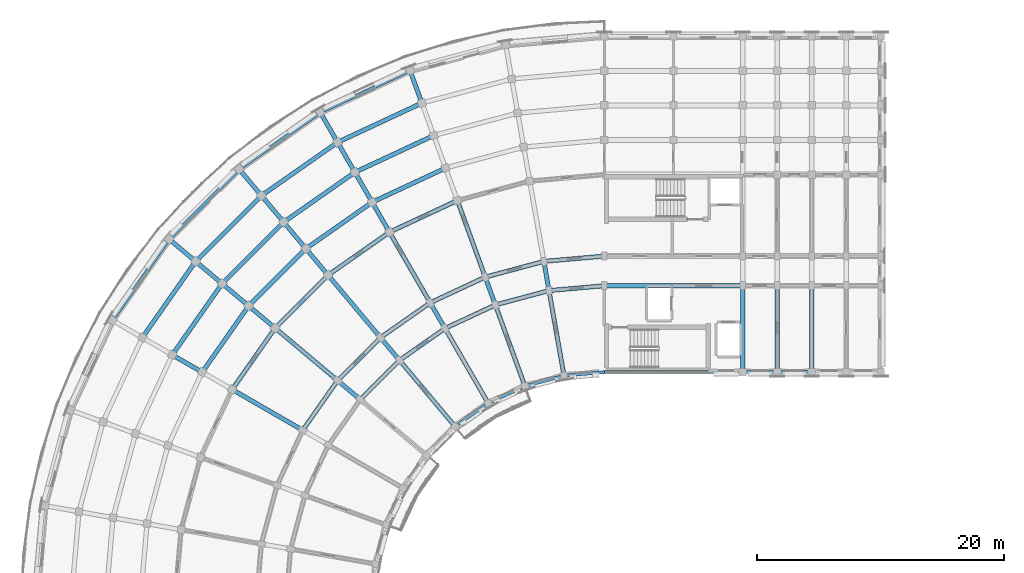
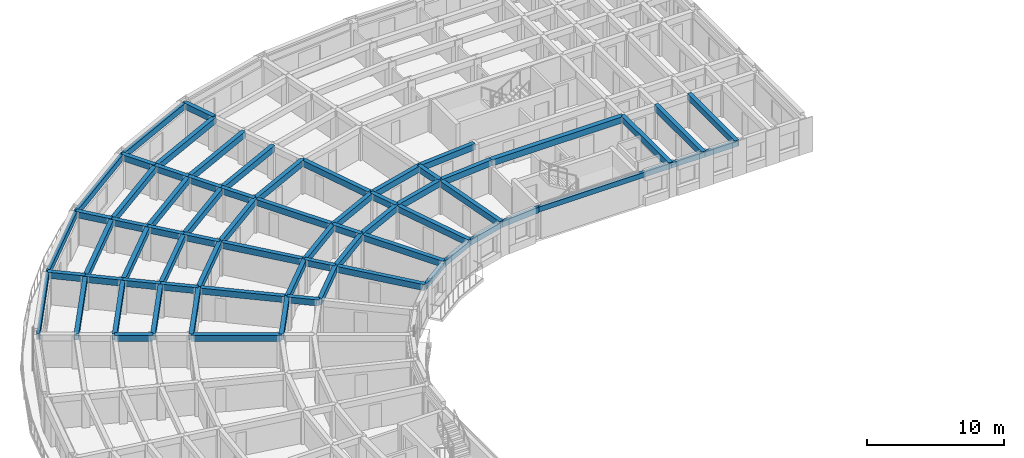
# One storey, part 4 of 36: 70 beams.
"""IFC4 building model written with IfcOpenShell, lengths in metres."""

from ifc_helpers import new_model, si_unit, direction, frame, origin, origin_2d, place, context, subcontext, project, spatial, rectangle, extrude, material, material_profile, profile_set, type_object, element, save


model = new_model("IFC4")

# Units and contexts
model_context = context("Model", 3, precision=1e-05, world=origin(), true_north=direction((0.0, 1.0)))
body_context = subcontext(model_context, "Body", "Model", "MODEL_VIEW")
ifc_project = project(units=[si_unit("LENGTHUNIT", "METRE"), si_unit("AREAUNIT", "SQUARE_METRE"), si_unit("VOLUMEUNIT", "CUBIC_METRE"), si_unit("PLANEANGLEUNIT", "RADIAN"), si_unit("MASSUNIT", "GRAM", prefix="KILO")], contexts=[model_context])

# Site, building, storey
site_placement = place(None, origin())
site = spatial("IfcSite", under=ifc_project, at=site_placement, CompositionType="ELEMENT")
building_placement = place(site_placement, origin())
building = spatial("IfcBuilding", under=site, at=building_placement, Name="Kiranvali Square Residences", CompositionType="ELEMENT")
storey_placement = place(building_placement, frame((0.0, 0.0, 37.050048828125)))
storey = spatial("IfcBuildingStorey", under=building, at=storey_placement, Name="L11", CompositionType="ELEMENT", Elevation=37.050048828125)

# Beams
ifc_material_1 = material(Name="Concrete M40 (40 MPa)", Category="concrete")
ifc_material_profile_1 = material_profile(ifc_material_1, rectangle(XDim=0.35009765625, YDim=0.550048828125, at=origin_2d()), Name="RC 350x550")
ifc_profile_set_1 = profile_set([ifc_material_profile_1], Name="Concrete M40 (40 MPa)")
beam_type_1 = type_object("IfcBeamType", Name="BM-M40-350x550", PredefinedType="BEAM", material=ifc_profile_set_1)
beam_1_placement = place(storey_placement, frame((48.199951171875, 113.60009765625, 2.655029296875), z_axis=(-0.996191949488, -0.087187153726, 0.0), x_axis=(0.087187153726, -0.996191949488, 0.0)))
element("IfcBeam", 1, at=beam_1_placement, inside=storey, type_object=beam_type_1, Name="L11 beam BM-A-L11-C00-R1", PredefinedType="BEAM", context=body_context, shape_type="SweptSolid", body=[
    extrude(rectangle(XDim=0.35009765625, YDim=0.550048828125, at=origin_2d()), origin(), (0.0, 0.0, 1.0), 4.4970703125),
])
beam_2_placement = place(storey_placement, frame((48.199951171875, 116.0, 2.655029296875), z_axis=(-0.996193663584, -0.087167566415, 0.0), x_axis=(0.087167566415, -0.996193663584, 0.0)))
element("IfcBeam", 2, at=beam_2_placement, inside=storey, type_object=beam_type_1, Name="L11 beam BM-A-L11-C00-R2", PredefinedType="BEAM", context=body_context, shape_type="SweptSolid", body=[
    extrude(rectangle(XDim=0.35009765625, YDim=0.550048828125, at=origin_2d()), origin(), (0.0, 0.0, 1.0), 4.91552734375),
])
beam_3_placement = place(storey_placement, frame((43.719970703125, 113.2080078125, 2.655029296875), z_axis=(-0.965934240054, -0.258787642463, 0.0), x_axis=(0.258787642463, -0.965934240054, 0.0)))
element("IfcBeam", 3, at=beam_3_placement, inside=storey, type_object=beam_type_1, Name="L11 beam BM-A-L11-C01-R1", PredefinedType="BEAM", context=body_context, shape_type="SweptSolid", body=[
    extrude(rectangle(XDim=0.35009765625, YDim=0.550048828125, at=origin_2d()), origin(), (0.0, 0.0, 1.0), 4.497314453125),
])
beam_4_placement = place(storey_placement, frame((43.30322265625, 115.571533203125, 2.655029296875), z_axis=(-0.965930095386, -0.258803112091, 0.0), x_axis=(0.258803112091, -0.965930095386, 0.0)))
element("IfcBeam", 4, at=beam_4_placement, inside=storey, type_object=beam_type_1, Name="L11 beam BM-A-L11-C01-R2", PredefinedType="BEAM", context=body_context, shape_type="SweptSolid", body=[
    extrude(rectangle(XDim=0.35009765625, YDim=0.550048828125, at=origin_2d()), origin(), (0.0, 0.0, 1.0), 4.915771484375),
])
beam_5_placement = place(storey_placement, frame((39.3759765625, 112.044189453125, 2.655029296875), z_axis=(-0.906307919131, -0.422617978463, 0.0), x_axis=(0.422617978463, -0.906307919131, 0.0)))
element("IfcBeam", 5, at=beam_5_placement, inside=storey, type_object=beam_type_1, Name="L11 beam BM-A-L11-C02-R1", PredefinedType="BEAM", context=body_context, shape_type="SweptSolid", body=[
    extrude(rectangle(XDim=0.35009765625, YDim=0.550048828125, at=origin_2d()), origin(), (0.0, 0.0, 1.0), 4.497314453125),
])
beam_6_placement = place(storey_placement, frame((38.554931640625, 114.29931640625, 2.655029296875), z_axis=(-0.906302381024, -0.422629854778, 0.0), x_axis=(0.422629854778, -0.906302381024, 0.0)))
element("IfcBeam", 6, at=beam_6_placement, inside=storey, type_object=beam_type_1, Name="L11 beam BM-A-L11-C02-R2", PredefinedType="BEAM", context=body_context, shape_type="SweptSolid", body=[
    extrude(rectangle(XDim=0.35009765625, YDim=0.550048828125, at=origin_2d()), origin(), (0.0, 0.0, 1.0), 4.915283203125),
])
beam_7_placement = place(storey_placement, frame((36.297607421875, 120.501220703125, 2.655029296875), z_axis=(-0.906312656069, -0.42260781991, 0.0), x_axis=(0.42260781991, -0.906312656069, 0.0)))
element("IfcBeam", 7, at=beam_7_placement, inside=storey, type_object=beam_type_1, Name="L11 beam BM-A-L11-C02-R3", PredefinedType="BEAM", context=body_context, shape_type="SweptSolid", body=[
    extrude(rectangle(XDim=0.35009765625, YDim=0.550048828125, at=origin_2d()), origin(), (0.0, 0.0, 1.0), 6.06591796875),
])
beam_8_placement = place(storey_placement, frame((35.340087890625, 123.13232421875, 2.655029296875), z_axis=(-0.906318225223, -0.422595876255, 0.0), x_axis=(0.422595876255, -0.906318225223, 0.0)))
element("IfcBeam", 8, at=beam_8_placement, inside=storey, type_object=beam_type_1, Name="L11 beam BM-A-L11-C02-R4", PredefinedType="BEAM", context=body_context, shape_type="SweptSolid", body=[
    extrude(rectangle(XDim=0.35009765625, YDim=0.550048828125, at=origin_2d()), origin(), (0.0, 0.0, 1.0), 6.55419921875),
])
beam_9_placement = place(storey_placement, frame((34.38232421875, 125.763671875, 2.655029296875), z_axis=(-0.906297360311, -0.422640621205, 0.0), x_axis=(0.422640621205, -0.906297360311, 0.0)))
element("IfcBeam", 9, at=beam_9_placement, inside=storey, type_object=beam_type_1, Name="L11 beam BM-A-L11-C02-R5", PredefinedType="BEAM", context=body_context, shape_type="SweptSolid", body=[
    extrude(rectangle(XDim=0.35009765625, YDim=0.550048828125, at=origin_2d()), origin(), (0.0, 0.0, 1.0), 7.042236328125),
])
beam_10_placement = place(storey_placement, frame((33.4248046875, 128.394775390625, 2.655029296875), z_axis=(-0.90630982703, -0.422613886933, 0.0), x_axis=(0.422613886933, -0.90630982703, 0.0)))
element("IfcBeam", 10, at=beam_10_placement, inside=storey, type_object=beam_type_1, Name="L11 beam BM-A-L11-C02-R6", PredefinedType="BEAM", context=body_context, shape_type="SweptSolid", body=[
    extrude(rectangle(XDim=0.35009765625, YDim=0.550048828125, at=origin_2d()), origin(), (0.0, 0.0, 1.0), 7.5302734375),
])
beam_11_placement = place(storey_placement, frame((35.300048828125, 110.1435546875, 2.655029296875), z_axis=(-0.819155404658, -0.573571637217, 0.0), x_axis=(0.573571637217, -0.819155404658, 0.0)))
element("IfcBeam", 11, at=beam_11_placement, inside=storey, type_object=beam_type_1, Name="L11 beam BM-A-L11-C03-R1", PredefinedType="BEAM", context=body_context, shape_type="SweptSolid", body=[
    extrude(rectangle(XDim=0.35009765625, YDim=0.550048828125, at=origin_2d()), origin(), (0.0, 0.0, 1.0), 4.497314453125),
])
beam_12_placement = place(storey_placement, frame((34.10009765625, 112.221923828125, 2.655029296875), z_axis=(-0.819140911474, -0.573592335331, 0.0), x_axis=(0.573592335331, -0.819140911474, 0.0)))
element("IfcBeam", 12, at=beam_12_placement, inside=storey, type_object=beam_type_1, Name="L11 beam BM-A-L11-C03-R2", PredefinedType="BEAM", context=body_context, shape_type="SweptSolid", body=[
    extrude(rectangle(XDim=0.35009765625, YDim=0.550048828125, at=origin_2d()), origin(), (0.0, 0.0, 1.0), 4.915771484375),
])
beam_13_placement = place(storey_placement, frame((30.800048828125, 117.937744140625, 2.655029296875), z_axis=(-0.81913926159, -0.573594691504, 0.0), x_axis=(0.573594691504, -0.81913926159, 0.0)))
element("IfcBeam", 13, at=beam_13_placement, inside=storey, type_object=beam_type_1, Name="L11 beam BM-A-L11-C03-R3", PredefinedType="BEAM", context=body_context, shape_type="SweptSolid", body=[
    extrude(rectangle(XDim=0.35009765625, YDim=0.550048828125, at=origin_2d()), origin(), (0.0, 0.0, 1.0), 6.066162109375),
])
beam_14_placement = place(storey_placement, frame((29.39990234375, 120.362548828125, 2.655029296875), z_axis=(-0.819144409176, -0.573587340268, 0.0), x_axis=(0.573587340268, -0.819144409176, 0.0)))
element("IfcBeam", 14, at=beam_14_placement, inside=storey, type_object=beam_type_1, Name="L11 beam BM-A-L11-C03-R4", PredefinedType="BEAM", context=body_context, shape_type="SweptSolid", body=[
    extrude(rectangle(XDim=0.35009765625, YDim=0.550048828125, at=origin_2d()), origin(), (0.0, 0.0, 1.0), 6.553955078125),
])
beam_15_placement = place(storey_placement, frame((28.0, 122.787353515625, 2.655029296875), z_axis=(-0.819160249246, -0.57356471828, 0.0), x_axis=(0.57356471828, -0.819160249246, 0.0)))
element("IfcBeam", 15, at=beam_15_placement, inside=storey, type_object=beam_type_1, Name="L11 beam BM-A-L11-C03-R5", PredefinedType="BEAM", context=body_context, shape_type="SweptSolid", body=[
    extrude(rectangle(XDim=0.35009765625, YDim=0.550048828125, at=origin_2d()), origin(), (0.0, 0.0, 1.0), 7.0419921875),
])
beam_16_placement = place(storey_placement, frame((26.60009765625, 125.21240234375, 2.655029296875), z_axis=(-0.819143569597, -0.573588539275, 0.0), x_axis=(0.573588539275, -0.819143569597, 0.0)))
element("IfcBeam", 16, at=beam_16_placement, inside=storey, type_object=beam_type_1, Name="L11 beam BM-A-L11-C03-R6", PredefinedType="BEAM", context=body_context, shape_type="SweptSolid", body=[
    extrude(rectangle(XDim=0.35009765625, YDim=0.550048828125, at=origin_2d()), origin(), (0.0, 0.0, 1.0), 7.5302734375),
])
beam_17_placement = place(storey_placement, frame((31.615966796875, 107.56396484375, 2.655029296875), z_axis=(-0.707106781187, -0.707106781187, 0.0), x_axis=(0.707106781187, -0.707106781187, 0.0)))
element("IfcBeam", 17, at=beam_17_placement, inside=storey, type_object=beam_type_1, Name="L11 beam BM-A-L11-C04-R1", PredefinedType="BEAM", context=body_context, shape_type="SweptSolid", body=[
    extrude(rectangle(XDim=0.35009765625, YDim=0.550048828125, at=origin_2d()), origin(), (0.0, 0.0, 1.0), 4.4970703125),
])
beam_18_placement = place(storey_placement, frame((30.073486328125, 109.40234375, 2.655029296875), z_axis=(-0.707106781187, -0.707106781187, 0.0), x_axis=(0.707106781187, -0.707106781187, 0.0)))
element("IfcBeam", 18, at=beam_18_placement, inside=storey, type_object=beam_type_1, Name="L11 beam BM-A-L11-C04-R2", PredefinedType="BEAM", context=body_context, shape_type="SweptSolid", body=[
    extrude(rectangle(XDim=0.35009765625, YDim=0.550048828125, at=origin_2d()), origin(), (0.0, 0.0, 1.0), 4.91552734375),
])
beam_19_placement = place(storey_placement, frame((25.8310546875, 114.458251953125, 2.655029296875), z_axis=(-0.707106781187, -0.707106781187, 0.0), x_axis=(0.707106781187, -0.707106781187, 0.0)))
element("IfcBeam", 19, at=beam_19_placement, inside=storey, type_object=beam_type_1, Name="L11 beam BM-A-L11-C04-R3", PredefinedType="BEAM", context=body_context, shape_type="SweptSolid", body=[
    extrude(rectangle(XDim=0.35009765625, YDim=0.550048828125, at=origin_2d()), origin(), (0.0, 0.0, 1.0), 6.06591796875),
])
beam_20_placement = place(storey_placement, frame((24.03125, 116.603271484375, 2.655029296875), z_axis=(-0.707106781187, -0.707106781187, 0.0), x_axis=(0.707106781187, -0.707106781187, 0.0)))
element("IfcBeam", 20, at=beam_20_placement, inside=storey, type_object=beam_type_1, Name="L11 beam BM-A-L11-C04-R4", PredefinedType="BEAM", context=body_context, shape_type="SweptSolid", body=[
    extrude(rectangle(XDim=0.35009765625, YDim=0.550048828125, at=origin_2d()), origin(), (0.0, 0.0, 1.0), 6.55419921875),
])
beam_21_placement = place(storey_placement, frame((22.2314453125, 118.748291015625, 2.655029296875), z_axis=(-0.707106781187, -0.707106781187, 0.0), x_axis=(0.707106781187, -0.707106781187, 0.0)))
element("IfcBeam", 21, at=beam_21_placement, inside=storey, type_object=beam_type_1, Name="L11 beam BM-A-L11-C04-R5", PredefinedType="BEAM", context=body_context, shape_type="SweptSolid", body=[
    extrude(rectangle(XDim=0.35009765625, YDim=0.550048828125, at=origin_2d()), origin(), (0.0, 0.0, 1.0), 7.04248046875),
])
beam_22_placement = place(storey_placement, frame((20.431640625, 120.89306640625, 2.655029296875), z_axis=(-0.707106781187, -0.707106781187, 0.0), x_axis=(0.707106781187, -0.707106781187, 0.0)))
element("IfcBeam", 22, at=beam_22_placement, inside=storey, type_object=beam_type_1, Name="L11 beam BM-A-L11-C04-R6", PredefinedType="BEAM", context=body_context, shape_type="SweptSolid", body=[
    extrude(rectangle(XDim=0.35009765625, YDim=0.550048828125, at=origin_2d()), origin(), (0.0, 0.0, 1.0), 7.5302734375),
])
beam_23_placement = place(storey_placement, frame((26.59765625, 105.926513671875, 2.655029296875), z_axis=(-0.573592335331, -0.819140911474, 0.0), x_axis=(0.819140911474, -0.573592335331, 0.0)))
element("IfcBeam", 23, at=beam_23_placement, inside=storey, type_object=beam_type_1, Name="L11 beam BM-A-L11-C05-R2", PredefinedType="BEAM", context=body_context, shape_type="SweptSolid", body=[
    extrude(rectangle(XDim=0.35009765625, YDim=0.550048828125, at=origin_2d()), origin(), (0.0, 0.0, 1.0), 4.915771484375),
])
beam_24_placement = place(storey_placement, frame((21.541748046875, 110.1689453125, 2.655029296875), z_axis=(-0.573594691504, -0.81913926159, 0.0), x_axis=(0.81913926159, -0.573594691504, 0.0)))
element("IfcBeam", 24, at=beam_24_placement, inside=storey, type_object=beam_type_1, Name="L11 beam BM-A-L11-C05-R3", PredefinedType="BEAM", context=body_context, shape_type="SweptSolid", body=[
    extrude(rectangle(XDim=0.35009765625, YDim=0.550048828125, at=origin_2d()), origin(), (0.0, 0.0, 1.0), 6.066162109375),
])
beam_25_placement = place(storey_placement, frame((19.396728515625, 111.96875, 2.655029296875), z_axis=(-0.573587340268, -0.819144409176, 0.0), x_axis=(0.819144409176, -0.573587340268, 0.0)))
element("IfcBeam", 25, at=beam_25_placement, inside=storey, type_object=beam_type_1, Name="L11 beam BM-A-L11-C05-R4", PredefinedType="BEAM", context=body_context, shape_type="SweptSolid", body=[
    extrude(rectangle(XDim=0.35009765625, YDim=0.550048828125, at=origin_2d()), origin(), (0.0, 0.0, 1.0), 6.553955078125),
])
beam_26_placement = place(storey_placement, frame((17.251708984375, 113.7685546875, 2.655029296875), z_axis=(-0.57356471828, -0.819160249246, 0.0), x_axis=(0.819160249246, -0.57356471828, 0.0)))
element("IfcBeam", 26, at=beam_26_placement, inside=storey, type_object=beam_type_1, Name="L11 beam BM-A-L11-C05-R5", PredefinedType="BEAM", context=body_context, shape_type="SweptSolid", body=[
    extrude(rectangle(XDim=0.35009765625, YDim=0.550048828125, at=origin_2d()), origin(), (0.0, 0.0, 1.0), 7.0419921875),
])
beam_27_placement = place(storey_placement, frame((15.10693359375, 115.568359375, 2.655029296875), z_axis=(-0.573588539275, -0.819143569597, 0.0), x_axis=(0.819143569597, -0.573588539275, 0.0)))
element("IfcBeam", 27, at=beam_27_placement, inside=storey, type_object=beam_type_1, Name="L11 beam BM-A-L11-C05-R6", PredefinedType="BEAM", context=body_context, shape_type="SweptSolid", body=[
    extrude(rectangle(XDim=0.35009765625, YDim=0.550048828125, at=origin_2d()), origin(), (0.0, 0.0, 1.0), 7.5302734375),
])
beam_28_placement = place(storey_placement, frame((44.935302734375, 106.314453125, 2.655029296875), z_axis=(-0.173622177865, 0.984812337125, 0.0), x_axis=(-0.984812337125, -0.173622177865, 0.0)))
element("IfcBeam", 28, at=beam_28_placement, inside=storey, type_object=beam_type_1, Name="L11 beam BM-A-L11-RAD01-01", PredefinedType="BEAM", context=body_context, shape_type="SweptSolid", body=[
    extrude(rectangle(XDim=0.35009765625, YDim=0.550048828125, at=origin_2d()), origin(), (0.0, 0.0, 1.0), 6.999755859375),
])
beam_29_placement = place(storey_placement, frame((43.719970703125, 113.2080078125, 2.655029296875), z_axis=(-0.173646056486, 0.984808127031, 0.0), x_axis=(-0.984808127031, -0.173646056486, 0.0)))
element("IfcBeam", 29, at=beam_29_placement, inside=storey, type_object=beam_type_1, Name="L11 beam BM-A-L11-RAD01-12", PredefinedType="BEAM", context=body_context, shape_type="SweptSolid", body=[
    extrude(rectangle(XDim=0.35009765625, YDim=0.550048828125, at=origin_2d()), origin(), (0.0, 0.0, 1.0), 2.39990234375),
])
beam_30_placement = place(storey_placement, frame((41.77001953125, 105.46630859375, 2.655029296875), z_axis=(-0.342006283793, 0.939697665127, 0.0), x_axis=(-0.939697665127, -0.342006283793, 0.0)))
element("IfcBeam", 30, at=beam_30_placement, inside=storey, type_object=beam_type_1, Name="L11 beam BM-A-L11-RAD02-01", PredefinedType="BEAM", context=body_context, shape_type="SweptSolid", body=[
    extrude(rectangle(XDim=0.35009765625, YDim=0.550048828125, at=origin_2d()), origin(), (0.0, 0.0, 1.0), 7.0),
])
beam_31_placement = place(storey_placement, frame((39.3759765625, 112.044189453125, 2.655029296875), z_axis=(-0.342110593602, 0.939659694648, 0.0), x_axis=(-0.939659694648, -0.342110593602, 0.0)))
element("IfcBeam", 31, at=beam_31_placement, inside=storey, type_object=beam_type_1, Name="L11 beam BM-A-L11-RAD02-12", PredefinedType="BEAM", context=body_context, shape_type="SweptSolid", body=[
    extrude(rectangle(XDim=0.35009765625, YDim=0.550048828125, at=origin_2d()), origin(), (0.0, 0.0, 1.0), 2.39990234375),
])
beam_32_placement = place(storey_placement, frame((38.554931640625, 114.29931640625, 2.655029296875), z_axis=(-0.342022238372, 0.939691858249, 0.0), x_axis=(-0.939691858249, -0.342022238372, 0.0)))
element("IfcBeam", 32, at=beam_32_placement, inside=storey, type_object=beam_type_1, Name="L11 beam BM-A-L11-RAD02-23", PredefinedType="BEAM", context=body_context, shape_type="SweptSolid", body=[
    extrude(rectangle(XDim=0.35009765625, YDim=0.550048828125, at=origin_2d()), origin(), (0.0, 0.0, 1.0), 6.599853515625),
])
beam_33_placement = place(storey_placement, frame((33.4248046875, 128.394775390625, 2.695068359375), z_axis=(-0.342058084236, 0.939678810556, 0.0), x_axis=(-0.939678810556, -0.342058084236, 0.0)))
element("IfcBeam", 33, at=beam_33_placement, inside=storey, type_object=beam_type_1, Name="L11 beam BM-A-L11-RAD02-67", PredefinedType="BEAM", context=body_context, shape_type="SweptSolid", body=[
    extrude(rectangle(XDim=0.35009765625, YDim=0.550048828125, at=origin_2d()), origin(), (0.0, 0.0, 1.0), 2.800048828125),
])
beam_34_placement = place(storey_placement, frame((38.800048828125, 104.081298828125, 2.655029296875), z_axis=(-0.499995173006, 0.866028190633, 0.0), x_axis=(-0.866028190633, -0.499995173006, 0.0)))
element("IfcBeam", 34, at=beam_34_placement, inside=storey, type_object=beam_type_1, Name="L11 beam BM-A-L11-RAD03-01", PredefinedType="BEAM", context=body_context, shape_type="SweptSolid", body=[
    extrude(rectangle(XDim=0.35009765625, YDim=0.550048828125, at=origin_2d()), origin(), (0.0, 0.0, 1.0), 7.0),
])
beam_35_placement = place(storey_placement, frame((35.300048828125, 110.1435546875, 2.655029296875), z_axis=(-0.500001309137, 0.866024647952, 0.0), x_axis=(-0.866024647952, -0.500001309137, 0.0)))
element("IfcBeam", 35, at=beam_35_placement, inside=storey, type_object=beam_type_1, Name="L11 beam BM-A-L11-RAD03-12", PredefinedType="BEAM", context=body_context, shape_type="SweptSolid", body=[
    extrude(rectangle(XDim=0.35009765625, YDim=0.550048828125, at=origin_2d()), origin(), (0.0, 0.0, 1.0), 2.39990234375),
])
beam_36_placement = place(storey_placement, frame((34.10009765625, 112.221923828125, 2.655029296875), z_axis=(-0.500002094529, 0.866024194504, 0.0), x_axis=(-0.866024194504, -0.500002094529, 0.0)))
element("IfcBeam", 36, at=beam_36_placement, inside=storey, type_object=beam_type_1, Name="L11 beam BM-A-L11-RAD03-23", PredefinedType="BEAM", context=body_context, shape_type="SweptSolid", body=[
    extrude(rectangle(XDim=0.35009765625, YDim=0.550048828125, at=origin_2d()), origin(), (0.0, 0.0, 1.0), 6.60009765625),
])
beam_37_placement = place(storey_placement, frame((30.800048828125, 117.937744140625, 2.655029296875), z_axis=(-0.500049511043, 0.865996816683, 0.0), x_axis=(-0.865996816683, -0.500049511043, 0.0)))
element("IfcBeam", 37, at=beam_37_placement, inside=storey, type_object=beam_type_1, Name="L11 beam BM-A-L11-RAD03-34", PredefinedType="BEAM", context=body_context, shape_type="SweptSolid", body=[
    extrude(rectangle(XDim=0.35009765625, YDim=0.550048828125, at=origin_2d()), origin(), (0.0, 0.0, 1.0), 2.800048828125),
])
beam_38_placement = place(storey_placement, frame((29.39990234375, 120.362548828125, 2.655029296875), z_axis=(-0.49998411664, 0.866034573852, 0.0), x_axis=(-0.866034573852, -0.49998411664, 0.0)))
element("IfcBeam", 38, at=beam_38_placement, inside=storey, type_object=beam_type_1, Name="L11 beam BM-A-L11-RAD03-45", PredefinedType="BEAM", context=body_context, shape_type="SweptSolid", body=[
    extrude(rectangle(XDim=0.35009765625, YDim=0.550048828125, at=origin_2d()), origin(), (0.0, 0.0, 1.0), 2.7998046875),
])
for number, where, z_axis, x_axis, name in (
    (39, (28.0, 122.787353515625, 2.655029296875), (-0.49994636267, 0.866056369097, 0.0), (-0.866056369097, -0.49994636267, 0.0), "L11 beam BM-A-L11-RAD03-56"),
    (40, (26.60009765625, 125.21240234375, 2.695068359375), (-0.500049511043, 0.865996816683, 0.0), (-0.865996816683, -0.500049511043, 0.0), "L11 beam BM-A-L11-RAD03-67"),
):
    element("IfcBeam", number, at=place(storey_placement, frame(where, z_axis=z_axis, x_axis=x_axis)), inside=storey, type_object=beam_type_1, Name=name, PredefinedType="BEAM", context=body_context, shape_type="SweptSolid", body=[
        extrude(rectangle(XDim=0.35009765625, YDim=0.550048828125, at=origin_2d()), origin(), (0.0, 0.0, 1.0), 2.800048828125),
    ])
beam_39_placement = place(storey_placement, frame((36.115478515625, 102.20166015625, 2.655029296875), z_axis=(-0.642787931032, 0.766044173478, 0.0), x_axis=(-0.766044173478, -0.642787931032, 0.0)))
element("IfcBeam", 41, at=beam_39_placement, inside=storey, type_object=beam_type_1, Name="L11 beam BM-A-L11-RAD04-01", PredefinedType="BEAM", context=body_context, shape_type="SweptSolid", body=[
    extrude(rectangle(XDim=0.35009765625, YDim=0.550048828125, at=origin_2d()), origin(), (0.0, 0.0, 1.0), 7.0),
])
beam_40_placement = place(storey_placement, frame((31.615966796875, 107.56396484375, 2.655029296875), z_axis=(-0.642762521781, 0.766065493671, 0.0), x_axis=(-0.766065493671, -0.642762521781, 0.0)))
element("IfcBeam", 42, at=beam_40_placement, inside=storey, type_object=beam_type_1, Name="L11 beam BM-A-L11-RAD04-12", PredefinedType="BEAM", context=body_context, shape_type="SweptSolid", body=[
    extrude(rectangle(XDim=0.35009765625, YDim=0.550048828125, at=origin_2d()), origin(), (0.0, 0.0, 1.0), 2.399658203125),
])
beam_41_placement = place(storey_placement, frame((30.073486328125, 109.40234375, 2.655029296875), z_axis=(-0.642789470807, 0.766042881449, 0.0), x_axis=(-0.766042881449, -0.642789470807, 0.0)))
element("IfcBeam", 43, at=beam_41_placement, inside=storey, type_object=beam_type_1, Name="L11 beam BM-A-L11-RAD04-23", PredefinedType="BEAM", context=body_context, shape_type="SweptSolid", body=[
    extrude(rectangle(XDim=0.35009765625, YDim=0.550048828125, at=origin_2d()), origin(), (0.0, 0.0, 1.0), 6.60009765625),
])
for number, where, z_axis, x_axis, name in (
    (44, (25.8310546875, 114.458251953125, 2.655029296875), (-0.642770757628, 0.766058583359, 0.0), (-0.766058583359, -0.642770757628, 0.0), "L11 beam BM-A-L11-RAD04-34"),
    (45, (24.03125, 116.603271484375, 2.655029296875), (-0.642770757628, 0.766058583359, 0.0), (-0.766058583359, -0.642770757628, 0.0), "L11 beam BM-A-L11-RAD04-45"),
):
    element("IfcBeam", number, at=place(storey_placement, frame(where, z_axis=z_axis, x_axis=x_axis)), inside=storey, type_object=beam_type_1, Name=name, PredefinedType="BEAM", context=body_context, shape_type="SweptSolid", body=[
        extrude(rectangle(XDim=0.35009765625, YDim=0.550048828125, at=origin_2d()), origin(), (0.0, 0.0, 1.0), 2.800048828125),
    ])
beam_42_placement = place(storey_placement, frame((22.2314453125, 118.748291015625, 2.655029296875), z_axis=(-0.642813692253, 0.76602255649, 0.0), x_axis=(-0.76602255649, -0.642813692253, 0.0)))
element("IfcBeam", 46, at=beam_42_placement, inside=storey, type_object=beam_type_1, Name="L11 beam BM-A-L11-RAD04-56", PredefinedType="BEAM", context=body_context, shape_type="SweptSolid", body=[
    extrude(rectangle(XDim=0.35009765625, YDim=0.550048828125, at=origin_2d()), origin(), (0.0, 0.0, 1.0), 2.7998046875),
])
beam_43_placement = place(storey_placement, frame((20.431640625, 120.89306640625, 2.695068359375), z_axis=(-0.642770757628, 0.766058583359, 0.0), x_axis=(-0.766058583359, -0.642770757628, 0.0)))
element("IfcBeam", 47, at=beam_43_placement, inside=storey, type_object=beam_type_1, Name="L11 beam BM-A-L11-RAD04-67", PredefinedType="BEAM", context=body_context, shape_type="SweptSolid", body=[
    extrude(rectangle(XDim=0.35009765625, YDim=0.550048828125, at=origin_2d()), origin(), (0.0, 0.0, 1.0), 2.800048828125),
])
beam_44_placement = place(storey_placement, frame((28.43603515625, 104.384033203125, 2.655029296875), z_axis=(-0.766065493671, 0.642762521781, 0.0), x_axis=(-0.642762521781, -0.766065493671, 0.0)))
element("IfcBeam", 48, at=beam_44_placement, inside=storey, type_object=beam_type_1, Name="L11 beam BM-A-L11-RAD05-12", PredefinedType="BEAM", context=body_context, shape_type="SweptSolid", body=[
    extrude(rectangle(XDim=0.35009765625, YDim=0.550048828125, at=origin_2d()), origin(), (0.0, 0.0, 1.0), 2.399658203125),
])
beam_45_placement = place(storey_placement, frame((26.59765625, 105.926513671875, 2.655029296875), z_axis=(-0.766042881449, 0.642789470807, 0.0), x_axis=(-0.642789470807, -0.766042881449, 0.0)))
element("IfcBeam", 49, at=beam_45_placement, inside=storey, type_object=beam_type_1, Name="L11 beam BM-A-L11-RAD05-23", PredefinedType="BEAM", context=body_context, shape_type="SweptSolid", body=[
    extrude(rectangle(XDim=0.35009765625, YDim=0.550048828125, at=origin_2d()), origin(), (0.0, 0.0, 1.0), 6.60009765625),
])
for number, where, z_axis, x_axis, name in (
    (50, (21.541748046875, 110.1689453125, 2.655029296875), (-0.766058583359, 0.642770757628, 0.0), (-0.642770757628, -0.766058583359, 0.0), "L11 beam BM-A-L11-RAD05-34"),
    (51, (19.396728515625, 111.96875, 2.655029296875), (-0.766058583359, 0.642770757628, 0.0), (-0.642770757628, -0.766058583359, 0.0), "L11 beam BM-A-L11-RAD05-45"),
):
    element("IfcBeam", number, at=place(storey_placement, frame(where, z_axis=z_axis, x_axis=x_axis)), inside=storey, type_object=beam_type_1, Name=name, PredefinedType="BEAM", context=body_context, shape_type="SweptSolid", body=[
        extrude(rectangle(XDim=0.35009765625, YDim=0.550048828125, at=origin_2d()), origin(), (0.0, 0.0, 1.0), 2.800048828125),
    ])
beam_46_placement = place(storey_placement, frame((17.251708984375, 113.7685546875, 2.655029296875), z_axis=(-0.76602255649, 0.642813692253, 0.0), x_axis=(-0.642813692253, -0.76602255649, 0.0)))
element("IfcBeam", 52, at=beam_46_placement, inside=storey, type_object=beam_type_1, Name="L11 beam BM-A-L11-RAD05-56", PredefinedType="BEAM", context=body_context, shape_type="SweptSolid", body=[
    extrude(rectangle(XDim=0.35009765625, YDim=0.550048828125, at=origin_2d()), origin(), (0.0, 0.0, 1.0), 2.7998046875),
])
beam_47_placement = place(storey_placement, frame((15.10693359375, 115.568359375, 2.695068359375), z_axis=(-0.766058583359, 0.642770757628, 0.0), x_axis=(-0.642770757628, -0.766058583359, 0.0)))
element("IfcBeam", 53, at=beam_47_placement, inside=storey, type_object=beam_type_1, Name="L11 beam BM-A-L11-RAD05-67", PredefinedType="BEAM", context=body_context, shape_type="SweptSolid", body=[
    extrude(rectangle(XDim=0.35009765625, YDim=0.550048828125, at=origin_2d()), origin(), (0.0, 0.0, 1.0), 2.800048828125),
])
beam_48_placement = place(storey_placement, frame((23.778076171875, 101.89990234375, 2.655029296875), z_axis=(-0.866024194504, 0.500002094529, 0.0), x_axis=(-0.500002094529, -0.866024194504, 0.0)))
element("IfcBeam", 54, at=beam_48_placement, inside=storey, type_object=beam_type_1, Name="L11 beam BM-A-L11-RAD06-23", PredefinedType="BEAM", context=body_context, shape_type="SweptSolid", body=[
    extrude(rectangle(XDim=0.35009765625, YDim=0.550048828125, at=origin_2d()), origin(), (0.0, 0.0, 1.0), 6.60009765625),
])
beam_49_placement = place(storey_placement, frame((15.637451171875, 106.60009765625, 2.655029296875), z_axis=(-0.866034573852, 0.49998411664, 0.0), x_axis=(-0.49998411664, -0.866034573852, 0.0)))
element("IfcBeam", 55, at=beam_49_placement, inside=storey, type_object=beam_type_1, Name="L11 beam BM-A-L11-RAD06-45", PredefinedType="BEAM", context=body_context, shape_type="SweptSolid", body=[
    extrude(rectangle(XDim=0.35009765625, YDim=0.550048828125, at=origin_2d()), origin(), (0.0, 0.0, 1.0), 2.7998046875),
])
for number, where, z_axis, x_axis, name in (
    (56, (59.39990234375, 106.60009765625, 2.655029296875), (0.0, 1.0, 0.0), (-1.0, 0.0, 0.0), "L11 beam BM-A-L11-A1T1-01"),
    (57, (62.199951171875, 106.60009765625, 2.655029296875), (0.0, 1.0, 0.0), (-1.0, 0.0, 0.0), "L11 beam BM-A-L11-A1T2-01"),
    (58, (65.0, 106.60009765625, 2.655029296875), (0.0, 1.0, 0.0), (-1.0, 0.0, 0.0), "L11 beam BM-A-L11-A1T3-01"),
):
    element("IfcBeam", number, at=place(storey_placement, frame(where, z_axis=z_axis, x_axis=x_axis)), inside=storey, type_object=beam_type_1, Name=name, PredefinedType="BEAM", context=body_context, shape_type="SweptSolid", body=[
        extrude(rectangle(XDim=0.35009765625, YDim=0.550048828125, at=origin_2d()), origin(), (0.0, 0.0, 1.0), 7.0),
    ])
ifc_material_2 = material(Name="Concrete M45 (45 MPa)", Category="concrete")
ifc_material_profile_2 = material_profile(ifc_material_2, rectangle(XDim=0.39990234375, YDim=0.550048828125, at=origin_2d()), Name="RC 400x550")
ifc_profile_set_2 = profile_set([ifc_material_profile_2], Name="Concrete M45 (45 MPa)")
beam_type_2 = type_object("IfcBeamType", Name="BM-M45-400x550", PredefinedType="BEAM", material=ifc_profile_set_2)
beam_50_placement = place(storey_placement, frame((48.199951171875, 113.60009765625, 2.655029296875), z_axis=(1.0, 0.0, 0.0), x_axis=(0.0, 1.0, 0.0)))
element("IfcBeam", 59, at=beam_50_placement, inside=storey, type_object=beam_type_2, Name="L11 beam BM-A-L11-A1U0-R1", PredefinedType="BEAM", context=body_context, shape_type="SweptSolid", body=[
    extrude(rectangle(XDim=0.39990234375, YDim=0.550048828125, at=origin_2d()), origin(), (0.0, 0.0, 1.0), 11.199951171875),
])
ifc_material_profile_3 = material_profile(ifc_material_1, rectangle(XDim=0.25, YDim=0.449951171875, at=origin_2d()), Name="RC 250x450")
ifc_profile_set_3 = profile_set([ifc_material_profile_3], Name="Concrete M40 (40 MPa)")
beam_type_3 = type_object("IfcBeamType", Name="SPN-M40-250x450", PredefinedType="SPANDREL", material=ifc_profile_set_3)
beam_51_placement = place(storey_placement, frame((48.199951171875, 106.60009765625, 2.704833984375), z_axis=(1.0, 0.0, 0.0), x_axis=(0.0, 1.0, 0.0)))
element("IfcBeam", 60, at=beam_51_placement, inside=storey, type_object=beam_type_3, Name="L11 beam BM-A-L11-A1U0-R0", PredefinedType="SPANDREL", context=body_context, shape_type="SweptSolid", body=[
    extrude(rectangle(XDim=0.25, YDim=0.449951171875, at=origin_2d()), origin(), (0.0, 0.0, 1.0), 11.199951171875),
])
for number, where, z_axis, x_axis, name in (
    (61, (59.39990234375, 106.60009765625, 2.704833984375), (1.0, 0.0, 0.0), (0.0, 1.0, 0.0), "L11 beam BM-A-L11-A1U1-R0"),
    (62, (62.199951171875, 106.60009765625, 2.704833984375), (1.0, 0.0, 0.0), (0.0, 1.0, 0.0), "L11 beam BM-A-L11-A1U2-R0"),
):
    element("IfcBeam", number, at=place(storey_placement, frame(where, z_axis=z_axis, x_axis=x_axis)), inside=storey, type_object=beam_type_3, Name=name, PredefinedType="SPANDREL", context=body_context, shape_type="SweptSolid", body=[
        extrude(rectangle(XDim=0.25, YDim=0.449951171875, at=origin_2d()), origin(), (0.0, 0.0, 1.0), 2.800048828125),
    ])
ifc_material_profile_4 = material_profile(ifc_material_1, rectangle(XDim=0.25, YDim=0.5, at=origin_2d()), Name="RC 250x500")
ifc_profile_set_4 = profile_set([ifc_material_profile_4], Name="Concrete M40 (40 MPa)")
beam_type_4 = type_object("IfcBeamType", Name="SPN-M40-250x500", PredefinedType="SPANDREL", material=ifc_profile_set_4)
beam_52_placement = place(storey_placement, frame((48.199951171875, 106.60009765625, 2.679931640625), z_axis=(-0.996194040944, -0.087163253657, 0.0), x_axis=(0.087163253657, -0.996194040944, 0.0)))
element("IfcBeam", 63, at=beam_52_placement, inside=storey, type_object=beam_type_4, Name="L11 beam BM-A-L11-C00-R0", PredefinedType="SPANDREL", context=body_context, shape_type="SweptSolid", body=[
    extrude(rectangle(XDim=0.25, YDim=0.5, at=origin_2d()), origin(), (0.0, 0.0, 1.0), 3.277099609375),
])
beam_53_placement = place(storey_placement, frame((44.935302734375, 106.314453125, 2.679931640625), z_axis=(-0.965925105099, -0.258821736607, 0.0), x_axis=(0.258821736607, -0.965925105099, 0.0)))
element("IfcBeam", 64, at=beam_53_placement, inside=storey, type_object=beam_type_4, Name="L11 beam BM-A-L11-C01-R0", PredefinedType="SPANDREL", context=body_context, shape_type="SweptSolid", body=[
    extrude(rectangle(XDim=0.25, YDim=0.5, at=origin_2d()), origin(), (0.0, 0.0, 1.0), 3.27685546875),
])
for number, where, z_axis, x_axis, name in (
    (65, (41.77001953125, 105.46630859375, 2.679931640625), (-0.90629730464, -0.422640740585, 0.0), (0.422640740585, -0.90629730464, 0.0), "L11 beam BM-A-L11-C02-R0"),
    (66, (38.800048828125, 104.081298828125, 2.679931640625), (-0.81916891812, -0.573552337269, 0.0), (0.573552337269, -0.81916891812, 0.0), "L11 beam BM-A-L11-C03-R0"),
):
    element("IfcBeam", number, at=place(storey_placement, frame(where, z_axis=z_axis, x_axis=x_axis)), inside=storey, type_object=beam_type_4, Name=name, PredefinedType="SPANDREL", context=body_context, shape_type="SweptSolid", body=[
        extrude(rectangle(XDim=0.25, YDim=0.5, at=origin_2d()), origin(), (0.0, 0.0, 1.0), 3.277099609375),
    ])
ifc_material_profile_5 = material_profile(ifc_material_1, rectangle(XDim=0.25, YDim=0.550048828125, at=origin_2d()), Name="RC 250x550")
ifc_profile_set_5 = profile_set([ifc_material_profile_5], Name="Concrete M40 (40 MPa)")
beam_type_5 = type_object("IfcBeamType", Name="SPN-M40-250x550", PredefinedType="SPANDREL", material=ifc_profile_set_5)
for number, where, z_axis, x_axis, name in (
    (67, (32.467041015625, 131.02587890625, 2.695068359375), (-0.906309113636, -0.422615416827, 0.0), (0.422615416827, -0.906309113636, 0.0), "L11 beam BM-A-L11-C02-R7"),
    (68, (25.199951171875, 127.63720703125, 2.695068359375), (-0.819147515001, -0.573582904791, 0.0), (0.573582904791, -0.819147515001, 0.0), "L11 beam BM-A-L11-C03-R7"),
):
    element("IfcBeam", number, at=place(storey_placement, frame(where, z_axis=z_axis, x_axis=x_axis)), inside=storey, type_object=beam_type_5, Name=name, PredefinedType="SPANDREL", context=body_context, shape_type="SweptSolid", body=[
        extrude(rectangle(XDim=0.25, YDim=0.550048828125, at=origin_2d()), origin(), (0.0, 0.0, 1.0), 8.018310546875),
    ])
beam_54_placement = place(storey_placement, frame((18.6318359375, 123.0380859375, 2.695068359375), z_axis=(-0.707106781187, -0.707106781187, 0.0), x_axis=(0.707106781187, -0.707106781187, 0.0)))
element("IfcBeam", 69, at=beam_54_placement, inside=storey, type_object=beam_type_5, Name="L11 beam BM-A-L11-C04-R7", PredefinedType="SPANDREL", context=body_context, shape_type="SweptSolid", body=[
    extrude(rectangle(XDim=0.25, YDim=0.550048828125, at=origin_2d()), origin(), (0.0, 0.0, 1.0), 8.0185546875),
])
beam_55_placement = place(storey_placement, frame((12.9619140625, 117.3681640625, 2.695068359375), z_axis=(-0.573582904791, -0.819147515001, 0.0), x_axis=(0.819147515001, -0.573582904791, 0.0)))
element("IfcBeam", 70, at=beam_55_placement, inside=storey, type_object=beam_type_5, Name="L11 beam BM-A-L11-C05-R7", PredefinedType="SPANDREL", context=body_context, shape_type="SweptSolid", body=[
    extrude(rectangle(XDim=0.25, YDim=0.550048828125, at=origin_2d()), origin(), (0.0, 0.0, 1.0), 8.018310546875),
])

save(model, "model.ifc")
